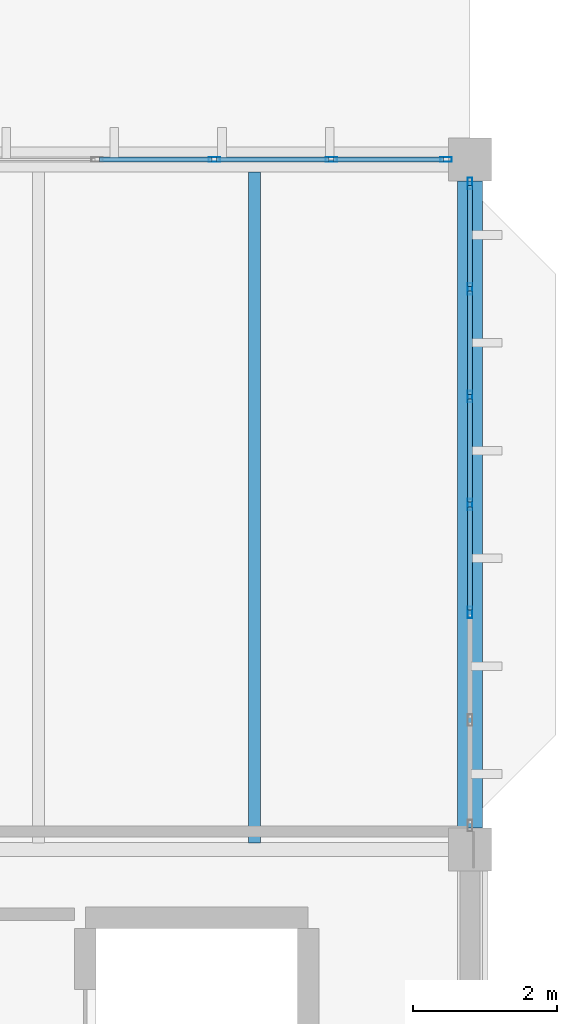
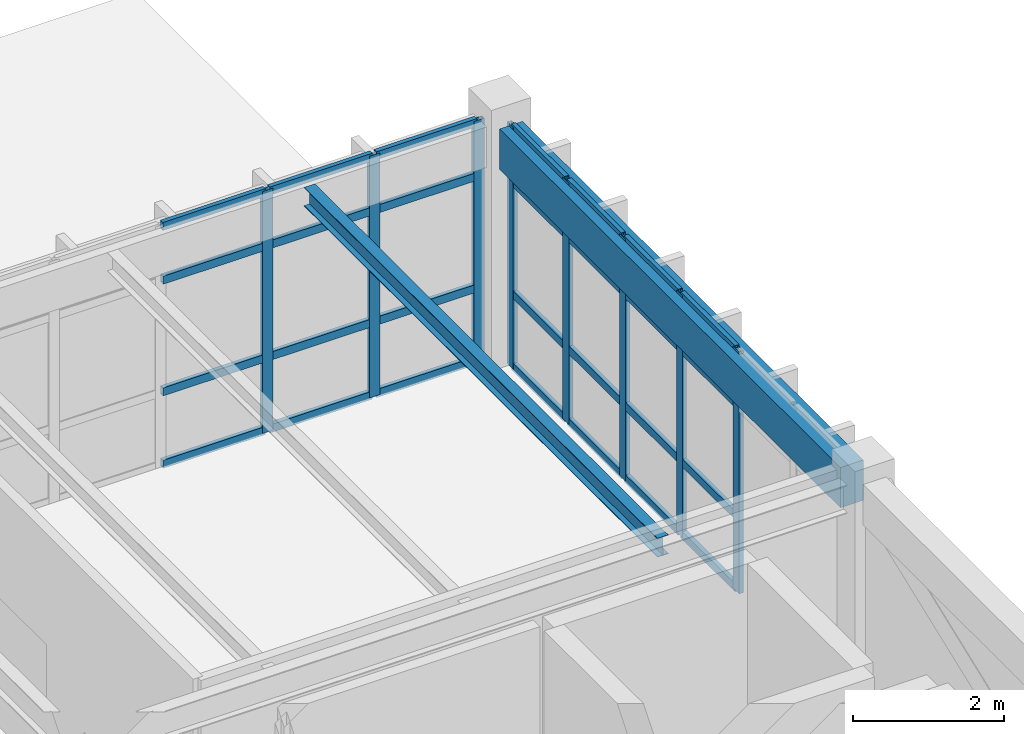
# One storey, part 57 of 83: 36 members, 2 beams, 2 elements without a shape of their own.
"""IFC4 building model written with IfcOpenShell, lengths in metres."""

from ifc_helpers import new_model, si_unit, direction, frame, origin, origin_2d, place, context, subcontext, project, spatial, rectangle, hollow_rectangle, i_section, extrude, material, layer, layer_set, material_profile, profile_set, type_object, element, aggregate, save


model = new_model("IFC4")

# Units and contexts
model_context = context("Model", 3, precision=1e-05, world=origin(), true_north=direction((0.0, 1.0)))
body_context = subcontext(model_context, "Body", "Model", "MODEL_VIEW")
ifc_project = project(units=[si_unit("LENGTHUNIT", "METRE"), si_unit("AREAUNIT", "SQUARE_METRE"), si_unit("VOLUMEUNIT", "CUBIC_METRE"), si_unit("PLANEANGLEUNIT", "RADIAN"), si_unit("MASSUNIT", "GRAM", prefix="KILO")], contexts=[model_context])

# Site, building, storey
site_placement = place(None, origin())
site = spatial("IfcSite", under=ifc_project, at=site_placement, CompositionType="ELEMENT")
building_placement = place(site_placement, origin())
building = spatial("IfcBuilding", under=site, at=building_placement, Name="Pandanus Reach Market Hall", CompositionType="ELEMENT")
storey_placement = place(building_placement, frame((0.0, 0.0, 10.199951171875)))
storey = spatial("IfcBuildingStorey", under=building, at=storey_placement, Name="L02", CompositionType="ELEMENT", Elevation=10.199951171875)

# Beam
ifc_material_1 = material(Name="Concrete N40 (40 MPa)", Category="concrete")
ifc_material_profile_1 = material_profile(ifc_material_1, rectangle(XDim=0.35009765625, YDim=0.64990234375, at=origin_2d()), Name="RC350x650", Category="LoadBearing")
ifc_profile_set_1 = profile_set([ifc_material_profile_1], Name="Concrete N40 (40 MPa)")
beam_type_1 = type_object("IfcBeamType", Name="BM-RC350-E", PredefinedType="SPANDREL", material=ifc_profile_set_1)
beam_1_placement = place(storey_placement, frame((180.0, 77.097900390625, 3.53515625), z_axis=(0.0, 1.0, 0.0), x_axis=(-1.0, 0.0, 0.0)))
element("IfcBeam", 1, at=beam_1_placement, inside=storey, type_object=beam_type_1, Name="Framing beam BM-RC350-E L02.488", PredefinedType="SPANDREL", context=body_context, shape_type="SweptSolid", body=[
    extrude(rectangle(XDim=0.35009765625, YDim=0.64990234375, at=origin_2d()), origin(), (0.0, 0.0, 1.0), 9.004150390625),
])

# Curtain wall, members
ifc_material_2 = material(Name="Bronze anodised aluminium and low-E glass", Category="aluminium")
ifc_layer_1 = layer(ifc_material_2, 0.159912109375, Name="CW-31")
ifc_layer_set_1 = layer_set([ifc_layer_1], Name="Bronze anodised aluminium and low-E glass")
curtain_wall_type_1 = type_object("IfcCurtainWallType", Name="CW-31", PredefinedType="NOTDEFINED", material=ifc_layer_set_1)
curtain_wall_1_placement = place(storey_placement, origin())
curtain_wall_1 = element("IfcCurtainWall", 2, at=curtain_wall_1_placement, inside=storey, type_object=curtain_wall_type_1, Name="Glazed curtain wall CW-31 CW-0104", PredefinedType="NOTDEFINED")
ifc_material_3 = material(Name="Bronze anodised aluminium", Category="aluminium")
ifc_material_profile_2 = material_profile(ifc_material_3, hollow_rectangle(XDim=0.06494140625, YDim=0.159912109375, WallThickness=0.00390625, at=origin_2d()), Name="ALU65x160", Category="LoadBearing")
ifc_profile_set_2 = profile_set([ifc_material_profile_2], Name="Bronze anodised aluminium")
member_type_1 = type_object("IfcMemberType", Name="CW-M1", PredefinedType="MULLION", material=ifc_profile_set_2)
member_1_placement = place(storey_placement, frame((176.44287109375, 86.39990234375, 0.0), z_axis=(0.0, 0.0, 1.0), x_axis=(0.0, 1.0, 0.0)))
member_1 = element("IfcMember", 3, at=member_1_placement, type_object=member_type_1, Name="CW-31 mullion 6", PredefinedType="MULLION", context=body_context, shape_type="SweptSolid", body=[
    extrude(hollow_rectangle(XDim=0.06494140625, YDim=0.159912109375, WallThickness=0.00390625, at=origin_2d()), origin(), (0.0, 0.0, 1.0), 3.900146484375),
])
member_2_placement = place(storey_placement, frame((178.071533203125, 86.39990234375, 0.0), z_axis=(0.0, 0.0, 1.0), x_axis=(0.0, 1.0, 0.0)))
member_2 = element("IfcMember", 4, at=member_2_placement, type_object=member_type_1, Name="CW-31 mullion 7", PredefinedType="MULLION", context=body_context, shape_type="SweptSolid", body=[
    extrude(hollow_rectangle(XDim=0.06494140625, YDim=0.159912109375, WallThickness=0.00390625, at=origin_2d()), origin(), (0.0, 0.0, 1.0), 3.900146484375),
])
member_3_placement = place(storey_placement, frame((179.66748046875, 86.39990234375, 0.0), z_axis=(0.0, 0.0, 1.0), x_axis=(0.0, 1.0, 0.0)))
member_3 = element("IfcMember", 5, at=member_3_placement, type_object=member_type_1, Name="CW-31 mullion 8", PredefinedType="MULLION", context=body_context, shape_type="SweptSolid", body=[
    extrude(hollow_rectangle(XDim=0.06494140625, YDim=0.159912109375, WallThickness=0.00390625, at=origin_2d()), origin(), (0.0, 0.0, 1.0), 3.900146484375),
])

ifc_layer_2 = layer(ifc_material_2, 0.159912109375, Name="CW-32")
ifc_layer_set_2 = layer_set([ifc_layer_2], Name="Bronze anodised aluminium and low-E glass")
curtain_wall_type_2 = type_object("IfcCurtainWallType", Name="CW-32", PredefinedType="NOTDEFINED", material=ifc_layer_set_2)
curtain_wall_2_placement = place(storey_placement, origin())
curtain_wall_2 = element("IfcCurtainWall", 6, at=curtain_wall_2_placement, inside=storey, type_object=curtain_wall_type_2, Name="Glazed curtain wall CW-32 CW-0108", PredefinedType="NOTDEFINED")
member_4_placement = place(storey_placement, frame((180.0, 80.10009765625, 0.0), z_axis=(0.0, 0.0, 1.0), x_axis=(-1.0, 0.0, 0.0)))
member_4 = element("IfcMember", 7, at=member_4_placement, type_object=member_type_1, Name="CW-32 mullion 3", PredefinedType="MULLION", context=body_context, shape_type="SweptSolid", body=[
    extrude(hollow_rectangle(XDim=0.06494140625, YDim=0.159912109375, WallThickness=0.00390625, at=origin_2d()), origin(), (0.0, 0.0, 1.0), 3.900146484375),
])
member_5_placement = place(storey_placement, frame((180.0, 81.60009765625, 0.0), z_axis=(0.0, 0.0, 1.0), x_axis=(-1.0, 0.0, 0.0)))
member_5 = element("IfcMember", 8, at=member_5_placement, type_object=member_type_1, Name="CW-32 mullion 4", PredefinedType="MULLION", context=body_context, shape_type="SweptSolid", body=[
    extrude(hollow_rectangle(XDim=0.06494140625, YDim=0.159912109375, WallThickness=0.00390625, at=origin_2d()), origin(), (0.0, 0.0, 1.0), 3.900146484375),
])
member_6_placement = place(storey_placement, frame((180.0, 83.10009765625, 0.0), z_axis=(0.0, 0.0, 1.0), x_axis=(-1.0, 0.0, 0.0)))
member_6 = element("IfcMember", 9, at=member_6_placement, type_object=member_type_1, Name="CW-32 mullion 5", PredefinedType="MULLION", context=body_context, shape_type="SweptSolid", body=[
    extrude(hollow_rectangle(XDim=0.06494140625, YDim=0.159912109375, WallThickness=0.00390625, at=origin_2d()), origin(), (0.0, 0.0, 1.0), 3.900146484375),
])
member_7_placement = place(storey_placement, frame((180.0, 84.60009765625, 0.0), z_axis=(0.0, 0.0, 1.0), x_axis=(-1.0, 0.0, 0.0)))
member_7 = element("IfcMember", 10, at=member_7_placement, type_object=member_type_1, Name="CW-32 mullion 6", PredefinedType="MULLION", context=body_context, shape_type="SweptSolid", body=[
    extrude(hollow_rectangle(XDim=0.06494140625, YDim=0.159912109375, WallThickness=0.00390625, at=origin_2d()), origin(), (0.0, 0.0, 1.0), 3.900146484375),
])
member_8_placement = place(storey_placement, frame((180.0, 86.0673828125, 0.0), z_axis=(0.0, 0.0, 1.0), x_axis=(-1.0, 0.0, 0.0)))
member_8 = element("IfcMember", 11, at=member_8_placement, type_object=member_type_1, Name="CW-32 mullion 7", PredefinedType="MULLION", context=body_context, shape_type="SweptSolid", body=[
    extrude(hollow_rectangle(XDim=0.06494140625, YDim=0.159912109375, WallThickness=0.00390625, at=origin_2d()), origin(), (0.0, 0.0, 1.0), 3.900146484375),
])

# Member
ifc_material_profile_3 = material_profile(ifc_material_3, hollow_rectangle(XDim=0.06494140625, YDim=0.1298828125, WallThickness=0.00390625, at=origin_2d()), Name="ALU65x130", Category="LoadBearing")
ifc_profile_set_3 = profile_set([ifc_material_profile_3], Name="Bronze anodised aluminium")
member_type_2 = type_object("IfcMemberType", Name="CW-T1", PredefinedType="USERDEFINED", material=ifc_profile_set_3)
member_9_placement = place(storey_placement, frame((174.8466796875, 86.39990234375, 0.032470703125), z_axis=(1.0, 0.0, 0.0), x_axis=(0.0, 1.0, 0.0)))
member_9 = element("IfcMember", 12, at=member_9_placement, type_object=member_type_2, Name="CW-31 transom 5.1", ObjectType="TRANSOM", PredefinedType="USERDEFINED", context=body_context, shape_type="SweptSolid", body=[
    extrude(hollow_rectangle(XDim=0.06494140625, YDim=0.1298828125, WallThickness=0.00390625, at=origin_2d()), origin(), (0.0, 0.0, 1.0), 1.563720703125),
])

member_10_placement = place(storey_placement, frame((174.8466796875, 86.39990234375, 1.199951171875), z_axis=(1.0, 0.0, 0.0), x_axis=(0.0, 1.0, 0.0)))
member_10 = element("IfcMember", 13, at=member_10_placement, type_object=member_type_2, Name="CW-31 transom 5.2", ObjectType="TRANSOM", PredefinedType="USERDEFINED", context=body_context, shape_type="SweptSolid", body=[
    extrude(hollow_rectangle(XDim=0.06494140625, YDim=0.1298828125, WallThickness=0.00390625, at=origin_2d()), origin(), (0.0, 0.0, 1.0), 1.563720703125),
])

member_11_placement = place(storey_placement, frame((174.8466796875, 86.39990234375, 3.0), z_axis=(1.0, 0.0, 0.0), x_axis=(0.0, 1.0, 0.0)))
member_11 = element("IfcMember", 14, at=member_11_placement, type_object=member_type_2, Name="CW-31 transom 5.3", ObjectType="TRANSOM", PredefinedType="USERDEFINED", context=body_context, shape_type="SweptSolid", body=[
    extrude(hollow_rectangle(XDim=0.06494140625, YDim=0.1298828125, WallThickness=0.00390625, at=origin_2d()), origin(), (0.0, 0.0, 1.0), 1.563720703125),
])

member_12_placement = place(storey_placement, frame((174.8466796875, 86.39990234375, 3.867431640625), z_axis=(1.0, 0.0, 0.0), x_axis=(0.0, 1.0, 0.0)))
member_12 = element("IfcMember", 15, at=member_12_placement, type_object=member_type_2, Name="CW-31 transom 5.4", ObjectType="TRANSOM", PredefinedType="USERDEFINED", context=body_context, shape_type="SweptSolid", body=[
    extrude(hollow_rectangle(XDim=0.06494140625, YDim=0.1298828125, WallThickness=0.00390625, at=origin_2d()), origin(), (0.0, 0.0, 1.0), 1.563720703125),
])

member_13_placement = place(storey_placement, frame((176.475341796875, 86.39990234375, 0.032470703125), z_axis=(1.0, 0.0, 0.0), x_axis=(0.0, 1.0, 0.0)))
member_13 = element("IfcMember", 16, at=member_13_placement, type_object=member_type_2, Name="CW-31 transom 6.1", ObjectType="TRANSOM", PredefinedType="USERDEFINED", context=body_context, shape_type="SweptSolid", body=[
    extrude(hollow_rectangle(XDim=0.06494140625, YDim=0.1298828125, WallThickness=0.00390625, at=origin_2d()), origin(), (0.0, 0.0, 1.0), 1.5634765625),
])

member_14_placement = place(storey_placement, frame((176.475341796875, 86.39990234375, 1.199951171875), z_axis=(1.0, 0.0, 0.0), x_axis=(0.0, 1.0, 0.0)))
member_14 = element("IfcMember", 17, at=member_14_placement, type_object=member_type_2, Name="CW-31 transom 6.2", ObjectType="TRANSOM", PredefinedType="USERDEFINED", context=body_context, shape_type="SweptSolid", body=[
    extrude(hollow_rectangle(XDim=0.06494140625, YDim=0.1298828125, WallThickness=0.00390625, at=origin_2d()), origin(), (0.0, 0.0, 1.0), 1.5634765625),
])

member_15_placement = place(storey_placement, frame((176.475341796875, 86.39990234375, 3.0), z_axis=(1.0, 0.0, 0.0), x_axis=(0.0, 1.0, 0.0)))
member_15 = element("IfcMember", 18, at=member_15_placement, type_object=member_type_2, Name="CW-31 transom 6.3", ObjectType="TRANSOM", PredefinedType="USERDEFINED", context=body_context, shape_type="SweptSolid", body=[
    extrude(hollow_rectangle(XDim=0.06494140625, YDim=0.1298828125, WallThickness=0.00390625, at=origin_2d()), origin(), (0.0, 0.0, 1.0), 1.5634765625),
])

member_16_placement = place(storey_placement, frame((176.475341796875, 86.39990234375, 3.867431640625), z_axis=(1.0, 0.0, 0.0), x_axis=(0.0, 1.0, 0.0)))
member_16 = element("IfcMember", 19, at=member_16_placement, type_object=member_type_2, Name="CW-31 transom 6.4", ObjectType="TRANSOM", PredefinedType="USERDEFINED", context=body_context, shape_type="SweptSolid", body=[
    extrude(hollow_rectangle(XDim=0.06494140625, YDim=0.1298828125, WallThickness=0.00390625, at=origin_2d()), origin(), (0.0, 0.0, 1.0), 1.5634765625),
])

member_17_placement = place(storey_placement, frame((178.10400390625, 86.39990234375, 0.032470703125), z_axis=(1.0, 0.0, 0.0), x_axis=(0.0, 1.0, 0.0)))
member_17 = element("IfcMember", 20, at=member_17_placement, type_object=member_type_2, Name="CW-31 transom 7.1", ObjectType="TRANSOM", PredefinedType="USERDEFINED", context=body_context, shape_type="SweptSolid", body=[
    extrude(hollow_rectangle(XDim=0.06494140625, YDim=0.1298828125, WallThickness=0.00390625, at=origin_2d()), origin(), (0.0, 0.0, 1.0), 1.531005859375),
])

member_18_placement = place(storey_placement, frame((178.10400390625, 86.39990234375, 1.199951171875), z_axis=(1.0, 0.0, 0.0), x_axis=(0.0, 1.0, 0.0)))
member_18 = element("IfcMember", 21, at=member_18_placement, type_object=member_type_2, Name="CW-31 transom 7.2", ObjectType="TRANSOM", PredefinedType="USERDEFINED", context=body_context, shape_type="SweptSolid", body=[
    extrude(hollow_rectangle(XDim=0.06494140625, YDim=0.1298828125, WallThickness=0.00390625, at=origin_2d()), origin(), (0.0, 0.0, 1.0), 1.531005859375),
])

member_19_placement = place(storey_placement, frame((178.10400390625, 86.39990234375, 3.0), z_axis=(1.0, 0.0, 0.0), x_axis=(0.0, 1.0, 0.0)))
member_19 = element("IfcMember", 22, at=member_19_placement, type_object=member_type_2, Name="CW-31 transom 7.3", ObjectType="TRANSOM", PredefinedType="USERDEFINED", context=body_context, shape_type="SweptSolid", body=[
    extrude(hollow_rectangle(XDim=0.06494140625, YDim=0.1298828125, WallThickness=0.00390625, at=origin_2d()), origin(), (0.0, 0.0, 1.0), 1.531005859375),
])

member_20_placement = place(storey_placement, frame((178.10400390625, 86.39990234375, 3.867431640625), z_axis=(1.0, 0.0, 0.0), x_axis=(0.0, 1.0, 0.0)))
member_20 = element("IfcMember", 23, at=member_20_placement, type_object=member_type_2, Name="CW-31 transom 7.4", ObjectType="TRANSOM", PredefinedType="USERDEFINED", context=body_context, shape_type="SweptSolid", body=[
    extrude(hollow_rectangle(XDim=0.06494140625, YDim=0.1298828125, WallThickness=0.00390625, at=origin_2d()), origin(), (0.0, 0.0, 1.0), 1.531005859375),
])

aggregate(curtain_wall_1, [member_1, member_2, member_3, member_9, member_10, member_11, member_12, member_13, member_14, member_15, member_16, member_17, member_18, member_19, member_20])

member_21_placement = place(storey_placement, frame((180.0, 80.132568359375, 0.032470703125), z_axis=(0.0, 1.0, 0.0), x_axis=(-1.0, 0.0, 0.0)))
member_21 = element("IfcMember", 24, at=member_21_placement, type_object=member_type_2, Name="CW-32 transom 3.1", ObjectType="TRANSOM", PredefinedType="USERDEFINED", context=body_context, shape_type="SweptSolid", body=[
    extrude(hollow_rectangle(XDim=0.06494140625, YDim=0.1298828125, WallThickness=0.00390625, at=origin_2d()), origin(), (0.0, 0.0, 1.0), 1.434814453125),
])

member_22_placement = place(storey_placement, frame((180.0, 80.132568359375, 1.199951171875), z_axis=(0.0, 1.0, 0.0), x_axis=(-1.0, 0.0, 0.0)))
member_22 = element("IfcMember", 25, at=member_22_placement, type_object=member_type_2, Name="CW-32 transom 3.2", ObjectType="TRANSOM", PredefinedType="USERDEFINED", context=body_context, shape_type="SweptSolid", body=[
    extrude(hollow_rectangle(XDim=0.06494140625, YDim=0.1298828125, WallThickness=0.00390625, at=origin_2d()), origin(), (0.0, 0.0, 1.0), 1.434814453125),
])

member_23_placement = place(storey_placement, frame((180.0, 80.132568359375, 3.0), z_axis=(0.0, 1.0, 0.0), x_axis=(-1.0, 0.0, 0.0)))
member_23 = element("IfcMember", 26, at=member_23_placement, type_object=member_type_2, Name="CW-32 transom 3.3", ObjectType="TRANSOM", PredefinedType="USERDEFINED", context=body_context, shape_type="SweptSolid", body=[
    extrude(hollow_rectangle(XDim=0.06494140625, YDim=0.1298828125, WallThickness=0.00390625, at=origin_2d()), origin(), (0.0, 0.0, 1.0), 1.434814453125),
])

member_24_placement = place(storey_placement, frame((180.0, 80.132568359375, 3.867431640625), z_axis=(0.0, 1.0, 0.0), x_axis=(-1.0, 0.0, 0.0)))
member_24 = element("IfcMember", 27, at=member_24_placement, type_object=member_type_2, Name="CW-32 transom 3.4", ObjectType="TRANSOM", PredefinedType="USERDEFINED", context=body_context, shape_type="SweptSolid", body=[
    extrude(hollow_rectangle(XDim=0.06494140625, YDim=0.1298828125, WallThickness=0.00390625, at=origin_2d()), origin(), (0.0, 0.0, 1.0), 1.434814453125),
])

member_25_placement = place(storey_placement, frame((180.0, 81.632568359375, 0.032470703125), z_axis=(0.0, 1.0, 0.0), x_axis=(-1.0, 0.0, 0.0)))
member_25 = element("IfcMember", 28, at=member_25_placement, type_object=member_type_2, Name="CW-32 transom 4.1", ObjectType="TRANSOM", PredefinedType="USERDEFINED", context=body_context, shape_type="SweptSolid", body=[
    extrude(hollow_rectangle(XDim=0.06494140625, YDim=0.1298828125, WallThickness=0.00390625, at=origin_2d()), origin(), (0.0, 0.0, 1.0), 1.434814453125),
])

member_26_placement = place(storey_placement, frame((180.0, 81.632568359375, 1.199951171875), z_axis=(0.0, 1.0, 0.0), x_axis=(-1.0, 0.0, 0.0)))
member_26 = element("IfcMember", 29, at=member_26_placement, type_object=member_type_2, Name="CW-32 transom 4.2", ObjectType="TRANSOM", PredefinedType="USERDEFINED", context=body_context, shape_type="SweptSolid", body=[
    extrude(hollow_rectangle(XDim=0.06494140625, YDim=0.1298828125, WallThickness=0.00390625, at=origin_2d()), origin(), (0.0, 0.0, 1.0), 1.434814453125),
])

member_27_placement = place(storey_placement, frame((180.0, 81.632568359375, 3.0), z_axis=(0.0, 1.0, 0.0), x_axis=(-1.0, 0.0, 0.0)))
member_27 = element("IfcMember", 30, at=member_27_placement, type_object=member_type_2, Name="CW-32 transom 4.3", ObjectType="TRANSOM", PredefinedType="USERDEFINED", context=body_context, shape_type="SweptSolid", body=[
    extrude(hollow_rectangle(XDim=0.06494140625, YDim=0.1298828125, WallThickness=0.00390625, at=origin_2d()), origin(), (0.0, 0.0, 1.0), 1.434814453125),
])

member_28_placement = place(storey_placement, frame((180.0, 81.632568359375, 3.867431640625), z_axis=(0.0, 1.0, 0.0), x_axis=(-1.0, 0.0, 0.0)))
member_28 = element("IfcMember", 31, at=member_28_placement, type_object=member_type_2, Name="CW-32 transom 4.4", ObjectType="TRANSOM", PredefinedType="USERDEFINED", context=body_context, shape_type="SweptSolid", body=[
    extrude(hollow_rectangle(XDim=0.06494140625, YDim=0.1298828125, WallThickness=0.00390625, at=origin_2d()), origin(), (0.0, 0.0, 1.0), 1.434814453125),
])

member_29_placement = place(storey_placement, frame((180.0, 83.132568359375, 0.032470703125), z_axis=(0.0, 1.0, 0.0), x_axis=(-1.0, 0.0, 0.0)))
member_29 = element("IfcMember", 32, at=member_29_placement, type_object=member_type_2, Name="CW-32 transom 5.1", ObjectType="TRANSOM", PredefinedType="USERDEFINED", context=body_context, shape_type="SweptSolid", body=[
    extrude(hollow_rectangle(XDim=0.06494140625, YDim=0.1298828125, WallThickness=0.00390625, at=origin_2d()), origin(), (0.0, 0.0, 1.0), 1.434814453125),
])

member_30_placement = place(storey_placement, frame((180.0, 83.132568359375, 1.199951171875), z_axis=(0.0, 1.0, 0.0), x_axis=(-1.0, 0.0, 0.0)))
member_30 = element("IfcMember", 33, at=member_30_placement, type_object=member_type_2, Name="CW-32 transom 5.2", ObjectType="TRANSOM", PredefinedType="USERDEFINED", context=body_context, shape_type="SweptSolid", body=[
    extrude(hollow_rectangle(XDim=0.06494140625, YDim=0.1298828125, WallThickness=0.00390625, at=origin_2d()), origin(), (0.0, 0.0, 1.0), 1.434814453125),
])

member_31_placement = place(storey_placement, frame((180.0, 83.132568359375, 3.0), z_axis=(0.0, 1.0, 0.0), x_axis=(-1.0, 0.0, 0.0)))
member_31 = element("IfcMember", 34, at=member_31_placement, type_object=member_type_2, Name="CW-32 transom 5.3", ObjectType="TRANSOM", PredefinedType="USERDEFINED", context=body_context, shape_type="SweptSolid", body=[
    extrude(hollow_rectangle(XDim=0.06494140625, YDim=0.1298828125, WallThickness=0.00390625, at=origin_2d()), origin(), (0.0, 0.0, 1.0), 1.434814453125),
])

member_32_placement = place(storey_placement, frame((180.0, 83.132568359375, 3.867431640625), z_axis=(0.0, 1.0, 0.0), x_axis=(-1.0, 0.0, 0.0)))
member_32 = element("IfcMember", 35, at=member_32_placement, type_object=member_type_2, Name="CW-32 transom 5.4", ObjectType="TRANSOM", PredefinedType="USERDEFINED", context=body_context, shape_type="SweptSolid", body=[
    extrude(hollow_rectangle(XDim=0.06494140625, YDim=0.1298828125, WallThickness=0.00390625, at=origin_2d()), origin(), (0.0, 0.0, 1.0), 1.434814453125),
])

member_33_placement = place(storey_placement, frame((180.0, 84.632568359375, 0.032470703125), z_axis=(0.0, 1.0, 0.0), x_axis=(-1.0, 0.0, 0.0)))
member_33 = element("IfcMember", 36, at=member_33_placement, type_object=member_type_2, Name="CW-32 transom 6.1", ObjectType="TRANSOM", PredefinedType="USERDEFINED", context=body_context, shape_type="SweptSolid", body=[
    extrude(hollow_rectangle(XDim=0.06494140625, YDim=0.1298828125, WallThickness=0.00390625, at=origin_2d()), origin(), (0.0, 0.0, 1.0), 1.40234375),
])

member_34_placement = place(storey_placement, frame((180.0, 84.632568359375, 1.199951171875), z_axis=(0.0, 1.0, 0.0), x_axis=(-1.0, 0.0, 0.0)))
member_34 = element("IfcMember", 37, at=member_34_placement, type_object=member_type_2, Name="CW-32 transom 6.2", ObjectType="TRANSOM", PredefinedType="USERDEFINED", context=body_context, shape_type="SweptSolid", body=[
    extrude(hollow_rectangle(XDim=0.06494140625, YDim=0.1298828125, WallThickness=0.00390625, at=origin_2d()), origin(), (0.0, 0.0, 1.0), 1.40234375),
])

member_35_placement = place(storey_placement, frame((180.0, 84.632568359375, 3.0), z_axis=(0.0, 1.0, 0.0), x_axis=(-1.0, 0.0, 0.0)))
member_35 = element("IfcMember", 38, at=member_35_placement, type_object=member_type_2, Name="CW-32 transom 6.3", ObjectType="TRANSOM", PredefinedType="USERDEFINED", context=body_context, shape_type="SweptSolid", body=[
    extrude(hollow_rectangle(XDim=0.06494140625, YDim=0.1298828125, WallThickness=0.00390625, at=origin_2d()), origin(), (0.0, 0.0, 1.0), 1.40234375),
])

member_36_placement = place(storey_placement, frame((180.0, 84.632568359375, 3.867431640625), z_axis=(0.0, 1.0, 0.0), x_axis=(-1.0, 0.0, 0.0)))
member_36 = element("IfcMember", 39, at=member_36_placement, type_object=member_type_2, Name="CW-32 transom 6.4", ObjectType="TRANSOM", PredefinedType="USERDEFINED", context=body_context, shape_type="SweptSolid", body=[
    extrude(hollow_rectangle(XDim=0.06494140625, YDim=0.1298828125, WallThickness=0.00390625, at=origin_2d()), origin(), (0.0, 0.0, 1.0), 1.40234375),
])

aggregate(curtain_wall_2, [member_4, member_5, member_6, member_7, member_8, member_21, member_22, member_23, member_24, member_25, member_26, member_27, member_28, member_29, member_30, member_31, member_32, member_33, member_34, member_35, member_36])

# Beam
ifc_material_4 = material(Name="Steel Grade 350 (350 MPa)", Category="steel")
ifc_material_profile_4 = material_profile(ifc_material_4, i_section(OverallWidth=0.1650390625, OverallDepth=0.303955078125, WebThickness=0.006103515625, FlangeThickness=0.01025390625, at=origin_2d()), Name="310UB40.4", Category="LoadBearing")
ifc_profile_set_4 = profile_set([ifc_material_profile_4], Name="Steel Grade 350 (350 MPa)")
beam_type_2 = type_object("IfcBeamType", Name="JS-UB310-I", PredefinedType="JOIST", material=ifc_profile_set_4)
beam_2_placement = place(storey_placement, frame((177.0, 76.89306640625, 3.707763671875), z_axis=(0.0, 1.0, 0.0), x_axis=(-1.0, 0.0, 0.0)))
element("IfcBeam", 40, at=beam_2_placement, inside=storey, type_object=beam_type_2, Name="Secondary joist JS-UB310-I L02.535", PredefinedType="JOIST", context=body_context, shape_type="SweptSolid", body=[
    extrude(i_section(OverallWidth=0.1650390625, OverallDepth=0.303955078125, WebThickness=0.006103515625, FlangeThickness=0.01025390625, at=origin_2d()), origin(), (0.0, 0.0, 1.0), 9.333984375),
])

save(model, "model.ifc")
